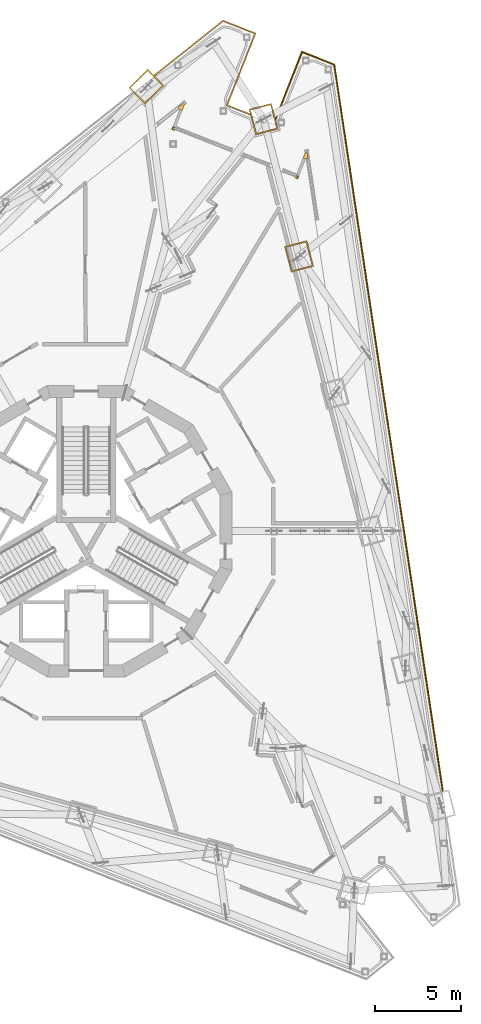
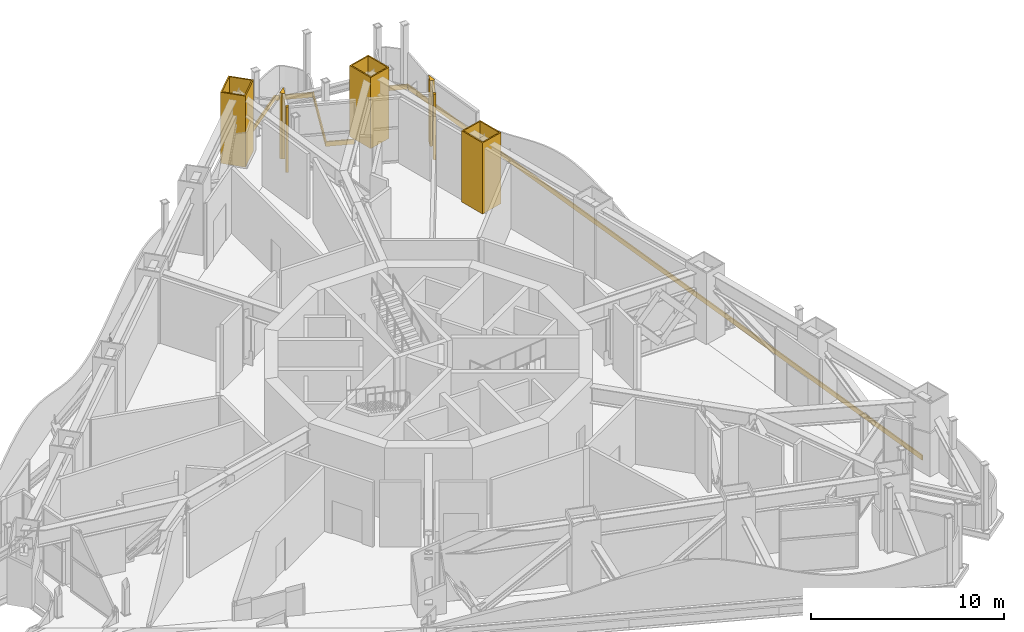
# One storey, part 27 of 27: 9 coverings.
"""IFC4 building model written with IfcOpenShell, lengths in metres."""

from ifc_helpers import new_model, si_unit, direction, frame, origin, place, context, subcontext, project, spatial, polyline, outline, extrude, material, layer, layer_set, type_object, element, save


model = new_model("IFC4")

# Units and contexts
model_context = context("Model", 3, precision=1e-05, world=origin(), true_north=direction((0.0, 1.0)))
body_context = subcontext(model_context, "Body", "Model", "MODEL_VIEW")
ifc_project = project(units=[si_unit("LENGTHUNIT", "METRE"), si_unit("AREAUNIT", "SQUARE_METRE"), si_unit("VOLUMEUNIT", "CUBIC_METRE"), si_unit("PLANEANGLEUNIT", "RADIAN"), si_unit("MASSUNIT", "GRAM", prefix="KILO")], contexts=[model_context])

# Site, building, storey
site_placement = place(None, origin())
site = spatial("IfcSite", under=ifc_project, at=site_placement, CompositionType="ELEMENT")
building_placement = place(site_placement, origin())
building = spatial("IfcBuilding", under=site, at=building_placement, Name="Trine Commons Tower", CompositionType="ELEMENT")
storey_placement = place(building_placement, frame((0.0, 0.0, 230.39990234375)))
storey = spatial("IfcBuildingStorey", under=building, at=storey_placement, Name="L60", CompositionType="ELEMENT", Elevation=230.39990234375)

# Coverings
ifc_material_1 = material(Name="Aluminium-framed insulated wall panel", Category="aluminium")
ifc_layer_1 = layer(ifc_material_1, 0.14990234375)
ifc_layer_set_1 = layer_set([ifc_layer_1], Name="Aluminium-framed insulated wall panel")
covering_type_1 = type_object("IfcCoveringType", Name="Glazing corner post, aluminium", PredefinedType="CLADDING", material=ifc_layer_set_1)
covering_1_placement = place(storey_placement, origin())
element("IfcCovering", 1, at=covering_1_placement, inside=storey, type_object=covering_type_1, Name="Glazing corner post 6-02", PredefinedType="CLADDING", context=body_context, shape_type="SweptSolid", body=[
    extrude(outline(polyline([(85.451416015625, 87.089599609375), (85.451416015625, 87.089599609375), (85.591064453125, 87.03466796875), (85.796142578125, 87.5556640625), (85.358154296875, 87.20703125), (85.451416015625, 87.089599609375)])), origin(), (0.0, 0.0, 1.0), 4.150146484375),
])
covering_2_placement = place(storey_placement, origin())
element("IfcCovering", 2, at=covering_2_placement, inside=storey, type_object=covering_type_1, Name="Glazing corner post 6-03", PredefinedType="CLADDING", context=body_context, shape_type="SweptSolid", body=[
    extrude(outline(polyline([(85.13818359375, 85.885009765625), (85.193115234375, 86.0244140625), (85.0537109375, 86.07958984375), (84.99853515625, 85.93994140625), (85.13818359375, 85.885009765625)])), origin(), (0.0, 0.0, 1.0), 4.150146484375),
])
covering_3_placement = place(storey_placement, origin())
element("IfcCovering", 3, at=covering_3_placement, inside=storey, type_object=covering_type_1, Name="Glazing corner post 6-04", PredefinedType="CLADDING", context=body_context, shape_type="SweptSolid", body=[
    extrude(outline(polyline([(92.190673828125, 83.10693359375), (92.330322265625, 83.052001953125), (92.38525390625, 83.19140625), (92.24560546875, 83.246337890625), (92.190673828125, 83.10693359375)])), origin(), (0.0, 0.0, 1.0), 4.150146484375),
])
covering_4_placement = place(storey_placement, origin())
element("IfcCovering", 4, at=covering_4_placement, inside=storey, type_object=covering_type_1, Name="Glazing corner post 6-05", PredefinedType="CLADDING", context=body_context, shape_type="SweptSolid", body=[
    extrude(outline(polyline([(92.6435546875, 84.256591796875), (92.783203125, 84.20166015625), (92.931396484375, 84.223876953125), (92.848876953125, 84.777587890625), (92.6435546875, 84.256591796875)])), origin(), (0.0, 0.0, 1.0), 4.150146484375),
])
ifc_material_2 = material(Name="Limestone, honed", Category="masonry")
ifc_layer_2 = layer(ifc_material_2, 0.074951171875)
ifc_layer_set_2 = layer_set([ifc_layer_2], Name="Limestone, honed")
covering_type_2 = type_object("IfcCoveringType", Name="Limestone column cladding 75", PredefinedType="CLADDING", material=ifc_layer_set_2)
covering_5_placement = place(storey_placement, origin())
element("IfcCovering", 5, at=covering_5_placement, inside=storey, type_object=covering_type_2, Name="Limestone pier cladding 7-12", PredefinedType="CLADDING", context=body_context, shape_type="SweptSolid", body=[
    extrude(outline(polyline([(84.5361328125, 88.482666015625), (83.58984375, 89.4453125), (82.484375, 88.35888671875), (83.430419921875, 87.396240234375), (84.5361328125, 88.482666015625)]), holes=[polyline([(84.429931640625, 88.4833984375), (83.5888671875, 89.33935546875), (82.59033203125, 88.358154296875), (83.431396484375, 87.502197265625), (84.429931640625, 88.4833984375)])]), origin(), (0.0, 0.0, 1.0), 4.5),
])
covering_6_placement = place(storey_placement, origin())
element("IfcCovering", 6, at=covering_6_placement, inside=storey, type_object=covering_type_2, Name="Limestone pier cladding 7-13", PredefinedType="CLADDING", context=body_context, shape_type="SweptSolid", body=[
    extrude(outline(polyline([(90.80078125, 87.44580078125), (89.493896484375, 87.107666015625), (89.8818359375, 85.607177734375), (91.18896484375, 85.945068359375), (90.80078125, 87.44580078125)]), holes=[polyline([(90.7470703125, 87.354248046875), (89.585205078125, 87.053955078125), (89.935791015625, 85.698486328125), (91.09765625, 85.998779296875), (90.7470703125, 87.354248046875)])]), origin(), (0.0, 0.0, 1.0), 4.5),
])
covering_7_placement = place(storey_placement, origin())
element("IfcCovering", 7, at=covering_7_placement, inside=storey, type_object=covering_type_2, Name="Limestone pier cladding 7-14", PredefinedType="CLADDING", context=body_context, shape_type="SweptSolid", body=[
    extrude(outline(polyline([(92.87109375, 79.440185546875), (91.564208984375, 79.102294921875), (91.9521484375, 77.601806640625), (93.25927734375, 77.939697265625), (92.87109375, 79.440185546875)]), holes=[polyline([(92.8173828125, 79.348876953125), (91.655517578125, 79.048583984375), (92.006103515625, 77.693115234375), (93.16796875, 77.993408203125), (92.8173828125, 79.348876953125)])]), origin(), (0.0, 0.0, 1.0), 4.5),
])
ifc_layer_3 = layer(ifc_material_2, 0.074951171875)
ifc_layer_set_3 = layer_set([ifc_layer_3], Name="Limestone, honed")
covering_type_3 = type_object("IfcCoveringType", Name="Limestone spandrel panel 75", PredefinedType="CLADDING", material=ifc_layer_set_3)
covering_8_placement = place(storey_placement, frame((0.0, 0.0, -0.2998046875)))
element("IfcCovering", 8, at=covering_8_placement, inside=storey, type_object=covering_type_3, Name="Limestone spandrel panel 6-04", PredefinedType="CLADDING", context=body_context, shape_type="SweptSolid", body=[
    extrude(outline(polyline([(92.561279296875, 90.50048828125), (91.021484375, 86.592041015625), (91.0537109375, 86.468505859375), (92.603515625, 90.4033203125), (94.430908203125, 89.683349609375), (100.762451171875, 47.318115234375), (100.83544921875, 47.337158203125), (94.498779296875, 89.7373046875), (92.561279296875, 90.50048828125)])), origin(), (0.0, 0.0, 1.0), 0.2998046875),
])
covering_9_placement = place(storey_placement, frame((0.0, 0.0, -0.2998046875)))
element("IfcCovering", 9, at=covering_9_placement, inside=storey, type_object=covering_type_3, Name="Limestone spandrel panel 6-05", PredefinedType="CLADDING", context=body_context, shape_type="SweptSolid", body=[
    extrude(outline(polyline([(87.97216796875, 92.308349609375), (83.93359375, 89.095703125), (83.986328125, 89.0419921875), (87.98486328125, 92.22265625), (89.812255859375, 91.502685546875), (88.1630859375, 87.31591796875), (89.5849609375, 86.755859375), (89.5615234375, 86.845703125), (88.26025390625, 87.358154296875), (89.90966796875, 91.545166015625), (87.97216796875, 92.308349609375)])), origin(), (0.0, 0.0, 1.0), 0.2998046875),
])

save(model, "model.ifc")
